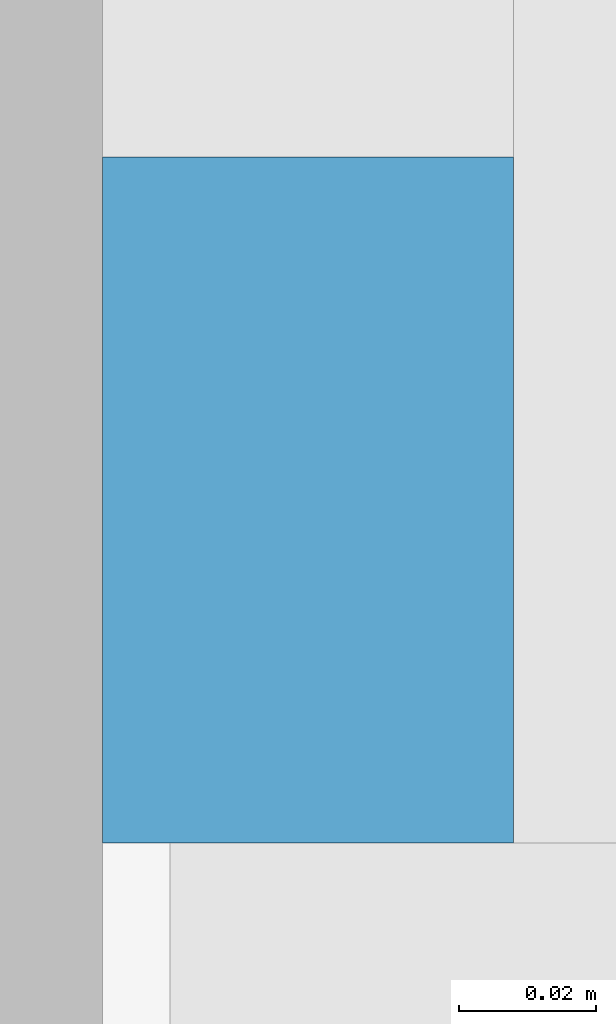
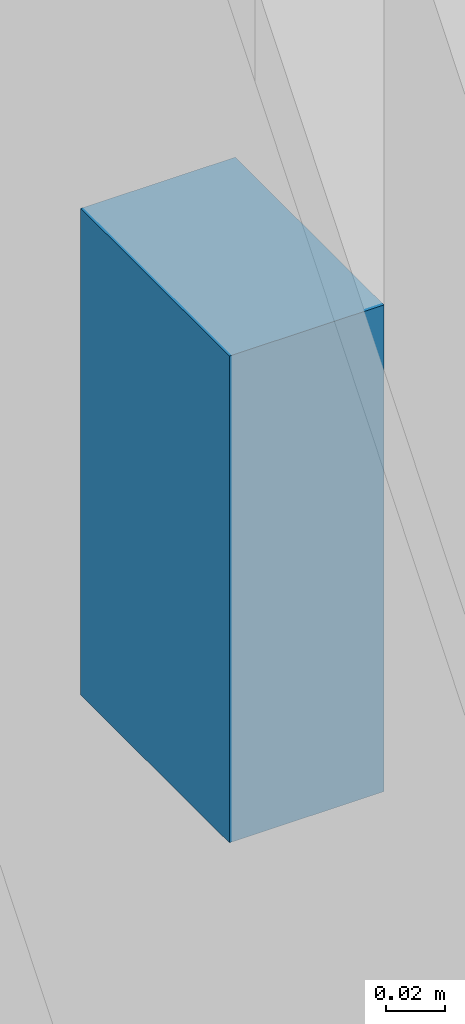
# One storey, part 9 of 13: 1 discrete accessory.
"""IFC4 building model written with IfcOpenShell, lengths in metres."""

from ifc_helpers import new_model, si_unit, direction, frame, origin, origin_2d, place, context, subcontext, project, spatial, rectangle, extrude, material, type_object, element, save


model = new_model("IFC4")

# Units and contexts
model_context = context("Model", 3, precision=1e-05, world=origin(), true_north=direction((0.0, 1.0)))
body_context = subcontext(model_context, "Body", "Model", "MODEL_VIEW")
ifc_project = project(units=[si_unit("LENGTHUNIT", "METRE"), si_unit("AREAUNIT", "SQUARE_METRE"), si_unit("VOLUMEUNIT", "CUBIC_METRE"), si_unit("PLANEANGLEUNIT", "RADIAN"), si_unit("MASSUNIT", "GRAM", prefix="KILO")], contexts=[model_context])

# Site, building, storey
site_placement = place(None, origin())
site = spatial("IfcSite", under=ifc_project, at=site_placement, CompositionType="ELEMENT")
building_placement = place(site_placement, origin())
building = spatial("IfcBuilding", under=site, at=building_placement, Name="Finial Court Residences", CompositionType="ELEMENT")
storey_placement = place(building_placement, frame((0.0, 0.0, 75.699951171875)))
storey = spatial("IfcBuildingStorey", under=building, at=storey_placement, Name="L18", CompositionType="ELEMENT", Elevation=75.699951171875)

# Discrete accessory
ifc_material = material(Name="Stainless steel 316", Category="steel")
discrete_accessory_type = type_object("IfcDiscreteAccessoryType", Name="Fin bracket, stainless steel 100 x 60 x 200", PredefinedType="BRACKET", material=ifc_material)
discrete_accessory_placement = place(storey_placement, frame((25.530029296875, 1.5, 0.30029296875), z_axis=(0.0, 0.0, 1.0), x_axis=(1.0, 0.0, 0.0)))
element("IfcDiscreteAccessory", 1, at=discrete_accessory_placement, inside=storey, type_object=discrete_accessory_type, Name="E-L18-FIN-E12-BRK", PredefinedType="BRACKET", context=body_context, shape_type="SweptSolid", body=[
    extrude(rectangle(XDim=0.06005859375, YDim=0.10009765625, at=origin_2d()), origin(), (0.0, 0.0, 1.0), 0.199951171875),
])

save(model, "model.ifc")
